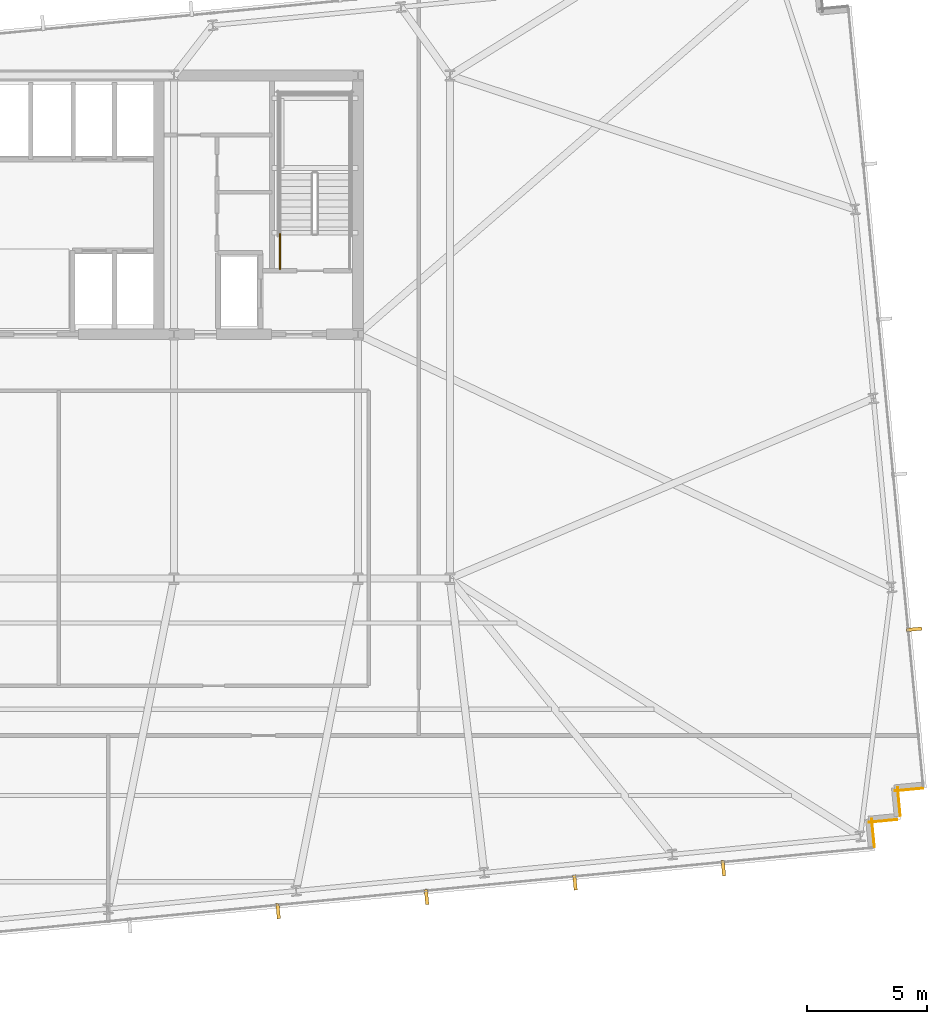
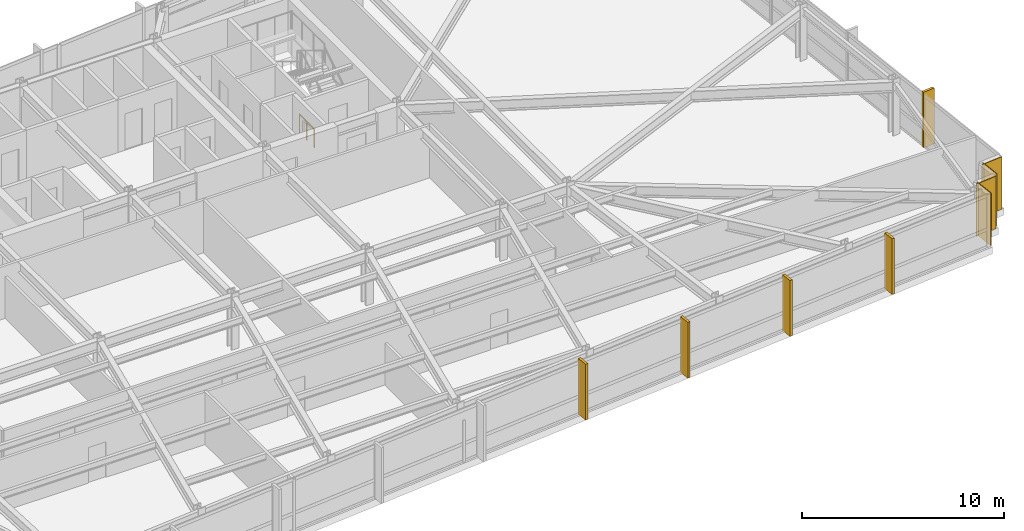
# One storey, part 30 of 33: 5 shading devices, 4 coverings, 1 railing.
"""IFC4 building model written with IfcOpenShell, lengths in metres."""

from ifc_helpers import new_model, si_unit, direction, frame, frame_2d, origin, origin_2d, place, context, subcontext, project, spatial, rectangle, circle, extrude, material, layer, layer_set, type_object, element, save


model = new_model("IFC4")

# Units and contexts
model_context = context("Model", 3, precision=1e-05, world=origin(), true_north=direction((0.0, 1.0)))
body_context = subcontext(model_context, "Body", "Model", "MODEL_VIEW")
ifc_project = project(units=[si_unit("LENGTHUNIT", "METRE"), si_unit("AREAUNIT", "SQUARE_METRE"), si_unit("VOLUMEUNIT", "CUBIC_METRE"), si_unit("PLANEANGLEUNIT", "RADIAN"), si_unit("MASSUNIT", "GRAM", prefix="KILO")], contexts=[model_context])

# Site, building, storey
site_placement = place(None, origin())
site = spatial("IfcSite", under=ifc_project, at=site_placement, CompositionType="ELEMENT")
building_placement = place(site_placement, origin())
building = spatial("IfcBuilding", under=site, at=building_placement, Name="Yelkora Congress Tower", CompositionType="ELEMENT")
storey_placement = place(building_placement, frame((0.0, 0.0, 89.699951171875)))
storey = spatial("IfcBuildingStorey", under=building, at=storey_placement, Name="L23", CompositionType="ELEMENT", Elevation=89.699951171875)

# Coverings
ifc_material_1 = material(Name="Anatolian bush-hammered limestone", Category="masonry")
ifc_layer_1 = layer(ifc_material_1, 0.0400390625)
ifc_layer_set_1 = layer_set([ifc_layer_1], Name="Anatolian bush-hammered limestone")
covering_type = type_object("IfcCoveringType", Name="COV-CLAD-SPANDREL-40", PredefinedType="CLADDING", material=ifc_layer_set_1)
for number, where, z_axis, x_axis, name in (
    (1, (77.360595703125, 16.451416015625, 0.0), (0.0, 0.0, 1.0), (-0.995377661201, -0.096038073607, 0.0), "L23 Anatolian Limestone Cladding EW-L23-SR16"),
    (2, (76.28759765625, 16.483642578125, 0.0), (0.0, 0.0, 1.0), (0.095836473879, -0.995397091755, 0.0), "L23 Anatolian Limestone Cladding EW-L23-SR17"),
    (3, (76.28125, 15.141845703125, 0.0), (0.0, 0.0, 1.0), (-0.995397091755, -0.095836473879, 0.0), "L23 Anatolian Limestone Cladding EW-L23-SR18"),
):
    element("IfcCovering", number, at=place(storey_placement, frame(where, z_axis=z_axis, x_axis=x_axis)), inside=storey, type_object=covering_type, Name=name, PredefinedType="CLADDING", context=body_context, shape_type="SweptSolid", body=[
        extrude(rectangle(XDim=1.199951171875, YDim=0.0400390625, at=frame_2d((0.60009765625, 0.0))), origin(), (0.0, 0.0, 1.0), 3.179931640625),
    ])
covering_placement = place(storey_placement, frame((75.208251953125, 15.17431640625, 0.0), z_axis=(0.0, 0.0, 1.0), x_axis=(0.095817067274, -0.995398960025, 0.0)))
element("IfcCovering", 4, at=covering_placement, inside=storey, type_object=covering_type, Name="L23 Anatolian Limestone Cladding EW-L23-SR19", PredefinedType="CLADDING", context=body_context, shape_type="SweptSolid", body=[
    extrude(rectangle(XDim=1.2001953125, YDim=0.0400390625, at=frame_2d((0.60009765625, 0.0))), origin(), (0.0, 0.0, 1.0), 3.179931640625),
])

# Railing
ifc_material_2 = material(Name="Painted galvanised steel stair well guard with vertical infill", Category="steel")
ifc_layer_2 = layer(ifc_material_2, 0.06005859375)
ifc_layer_set_2 = layer_set([ifc_layer_2], Name="Painted galvanised steel stair well guard with vertical infill")
railing_type = type_object("IfcRailingType", Name="RAIL-STAIR-GUARD-1120", PredefinedType="GUARDRAIL", material=ifc_layer_set_2)
railing_placement = place(storey_placement, frame((50.510009765625, 38.1201171875, 0.0)))
element("IfcRailing", 5, at=railing_placement, inside=storey, type_object=railing_type, Name="ST-02 L23 Stair Well Guardrail 9", PredefinedType="GUARDRAIL", context=body_context, shape_type="SweptSolid", body=[
    extrude(circle(Radius=0.02392578125, at=origin_2d()), frame((0.0, 0.0, 1.09619140625), z_axis=(0.0, 1.0, 0.0), x_axis=(-1.0, 0.0, 0.0)), (0.0, 0.0, 1.0), 1.47998046875),
    extrude(circle(Radius=0.02099609375, at=origin_2d()), origin(), (0.0, 0.0, 1.0), 1.072021484375),
    extrude(circle(Radius=0.02099609375, at=origin_2d()), frame((0.0, 0.739990234375, 0.0)), (0.0, 0.0, 1.0), 1.072021484375),
    extrude(circle(Radius=0.02099609375, at=origin_2d()), frame((0.0, 1.47998046875, 0.0)), (0.0, 0.0, 1.0), 1.072021484375),
])

# Shading devices
ifc_material_3 = material(Name="Champagne anodised aluminium", Category="aluminium")
ifc_layer_3 = layer(ifc_material_3, 3.39990234375)
ifc_layer_set_3 = layer_set([ifc_layer_3], Name="Champagne anodised aluminium")
shading_device_type = type_object("IfcShadingDeviceType", Name="SHD-FIN-ALU-640", PredefinedType="USERDEFINED", material=ifc_layer_set_3)
for number, where, z_axis, x_axis, name in (
    (6, (76.983154296875, 23.084716796875, -0.02978515625), (0.0, 0.0, 1.0), (0.09584575252, -0.995396198367, 0.0), "L23 Vertical Anodised Solar Fin 15-4"),
    (7, (69.01806640625, 13.111328125, -0.02978515625), (0.0, 0.0, 1.0), (-0.995396198367, -0.09584575252, 0.0), "L23 Vertical Anodised Solar Fin 20-1"),
    (8, (62.822265625, 12.514892578125, -0.02978515625), (0.0, 0.0, 1.0), (-0.995396198367, -0.09584575252, 0.0), "L23 Vertical Anodised Solar Fin 20-2"),
    (9, (56.62646484375, 11.918212890625, -0.02978515625), (0.0, 0.0, 1.0), (-0.995396198367, -0.09584575252, 0.0), "L23 Vertical Anodised Solar Fin 20-3"),
    (10, (50.4306640625, 11.321533203125, -0.02978515625), (0.0, 0.0, 1.0), (-0.995396198367, -0.09584575252, 0.0), "L23 Vertical Anodised Solar Fin 20-4"),
):
    element("IfcShadingDevice", number, at=place(storey_placement, frame(where, z_axis=z_axis, x_axis=x_axis)), inside=storey, type_object=shading_device_type, Name=name, ObjectType="FIN", PredefinedType="USERDEFINED", context=body_context, shape_type="SweptSolid", body=[
        extrude(rectangle(XDim=0.139892578125, YDim=0.639892578125, at=origin_2d()), origin(), (0.0, 0.0, 1.0), 3.3798828125),
    ])

save(model, "model.ifc")
